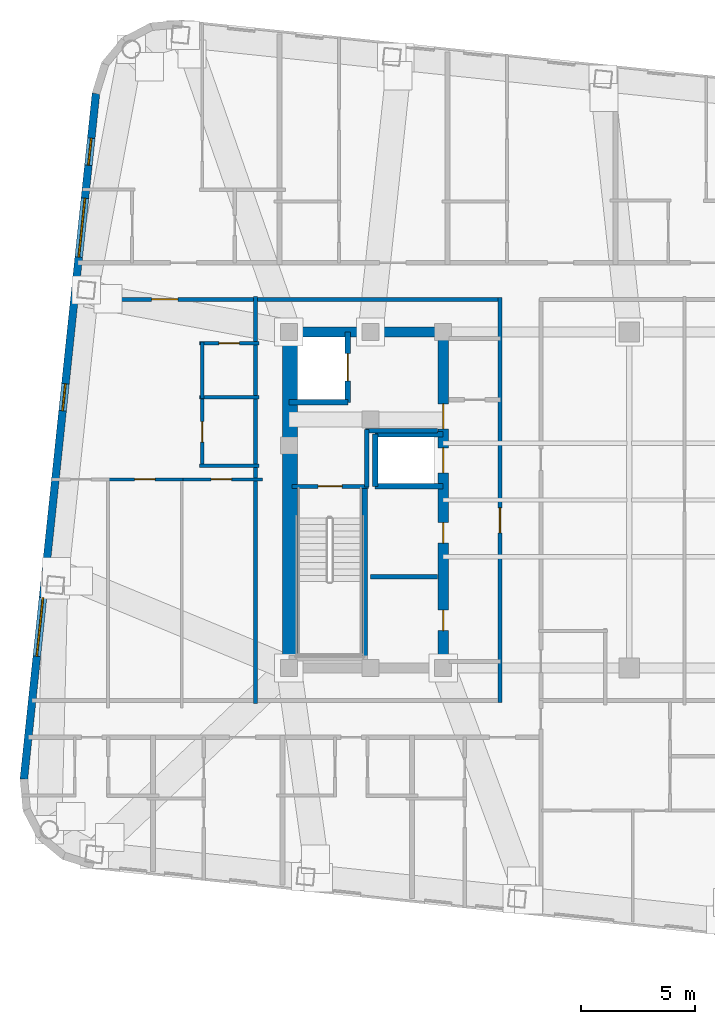
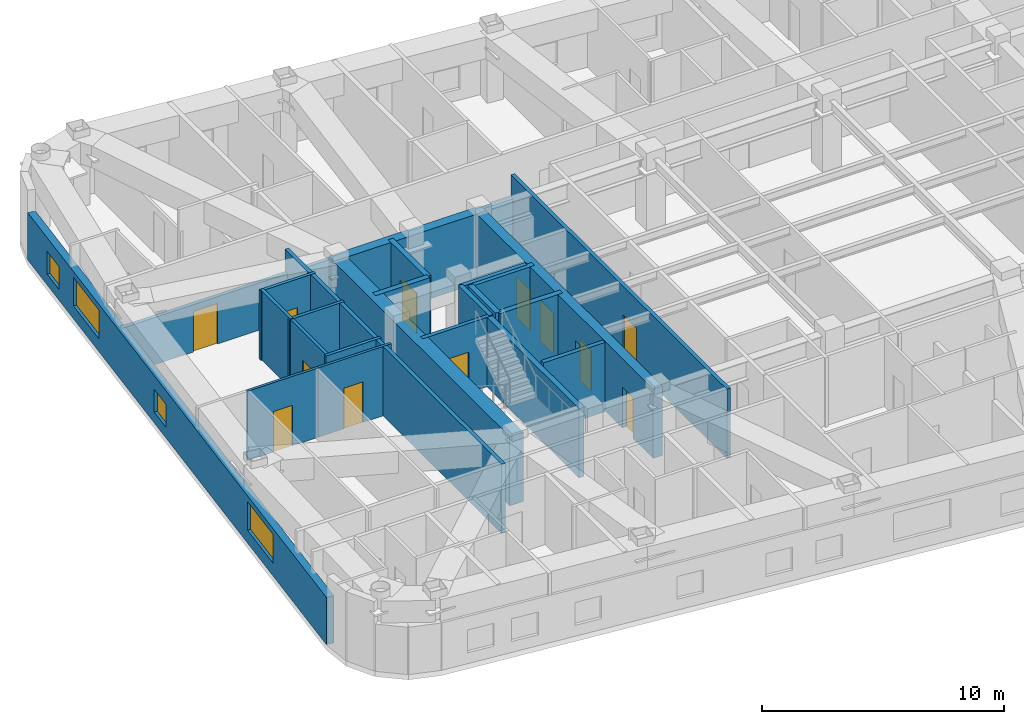
# One storey, part 5 of 12: 24 walls, 12 doors, 4 windows, 16 openings.
"""IFC4 building model written with IfcOpenShell, lengths in metres."""

from ifc_helpers import new_model, si_unit, direction, frame, frame_2d, origin, place, context, subcontext, project, spatial, rectangle, extrude, material, layer, layer_set, type_object, element, fill, save


model = new_model("IFC4")

# Units and contexts
model_context = context("Model", 3, precision=1e-05, world=origin(), true_north=direction((0.0, 1.0)))
body_context = subcontext(model_context, "Body", "Model", "MODEL_VIEW")
ifc_project = project(units=[si_unit("LENGTHUNIT", "METRE"), si_unit("AREAUNIT", "SQUARE_METRE"), si_unit("VOLUMEUNIT", "CUBIC_METRE"), si_unit("PLANEANGLEUNIT", "RADIAN"), si_unit("MASSUNIT", "GRAM", prefix="KILO")], contexts=[model_context])

# Site, building, storey
site_placement = place(None, origin())
site = spatial("IfcSite", under=ifc_project, at=site_placement, CompositionType="ELEMENT")
building_placement = place(site_placement, origin())
building = spatial("IfcBuilding", under=site, at=building_placement, Name="Voryun Gate Residences", CompositionType="ELEMENT")
storey_placement = place(building_placement, frame((0.0, 0.0, 306.800048828125)))
storey = spatial("IfcBuildingStorey", under=building, at=storey_placement, Name="L76", CompositionType="ELEMENT", Elevation=306.800048828125)

# Wall
ifc_material_1 = material(Name="Concrete C50/60", Category="concrete")
ifc_layer_1 = layer(ifc_material_1, 0.449951171875, Name="CW_CORE_450")
ifc_layer_set_1 = layer_set([ifc_layer_1], Name="Concrete C50/60")
wall_type_1 = type_object("IfcWallType", Name="CW_CORE_450", PredefinedType="SHEAR", material=ifc_layer_set_1)
wall_1_placement = place(storey_placement, frame((-19.425048828125, 7.39990234375, 0.0), z_axis=(0.0, 0.0, 1.0), x_axis=(1.0, 0.0, 0.0)))
element("IfcWall", 1, at=wall_1_placement, inside=storey, type_object=wall_type_1, Name="L76 Core shear wall CW-L76-WN", PredefinedType="SHEAR", context=body_context, shape_type="SweptSolid", body=[
    extrude(rectangle(XDim=7.25, YDim=0.449951171875, at=frame_2d((3.625, 0.0))), origin(), (0.0, 0.0, 1.0), 3.5),
])

# Wall, openings, doors
wall_2_placement = place(storey_placement, frame((-12.39990234375, -7.39990234375, 0.0), z_axis=(0.0, 0.0, 1.0), x_axis=(0.0, 1.0, 0.0)))
wall_2 = element("IfcWall", 2, at=wall_2_placement, inside=storey, type_object=wall_type_1, Name="L76 Core shear wall CW-L76-WE", PredefinedType="SHEAR", context=body_context, shape_type="SweptSolid", body=[
    extrude(rectangle(XDim=14.7998046875, YDim=0.449951171875, at=frame_2d((7.39990234375, 0.0))), origin(), (0.0, 0.0, 1.0), 3.5),
])
opening_1_placement = place(wall_2_placement, frame((8.60009765625, 0.0, 0.0)))
opening_1 = element("IfcOpeningElement", 3, at=opening_1_placement, cuts=wall_2, Name="Opening LD2", PredefinedType="OPENING", context=body_context, shape_type="SweptSolid", body=[
    extrude(rectangle(XDim=1.10009765625, YDim=2.050048828125, at=frame_2d((0.550048828125, 1.02490234375))), frame((0.0, 0.235107421875, 0.0), z_axis=(0.0, -1.0, 0.0), x_axis=(1.0, 0.0, 0.0)), (0.0, 0.0, 1.0), 0.469970703125),
])
opening_2_placement = place(wall_2_placement, frame((10.530029296875, 0.0, 0.0)))
opening_2 = element("IfcOpeningElement", 4, at=opening_2_placement, cuts=wall_2, Name="Opening D-FD60-2", PredefinedType="OPENING", context=body_context, shape_type="SweptSolid", body=[
    extrude(rectangle(XDim=1.10009765625, YDim=2.050048828125, at=frame_2d((0.550048828125, 1.02490234375))), frame((0.0, 0.235107421875, 0.0), z_axis=(0.0, -1.0, 0.0), x_axis=(1.0, 0.0, 0.0)), (0.0, 0.0, 1.0), 0.469970703125),
])
opening_3_placement = place(wall_2_placement, frame((1.64990234375, 0.0, 0.0)))
opening_3 = element("IfcOpeningElement", 5, at=opening_3_placement, cuts=wall_2, Name="Opening D-FD60-4", PredefinedType="OPENING", context=body_context, shape_type="SweptSolid", body=[
    extrude(rectangle(XDim=0.89990234375, YDim=2.050048828125, at=frame_2d((0.449951171875, 1.02490234375))), frame((0.0, 0.235107421875, 0.0), z_axis=(0.0, -1.0, 0.0), x_axis=(1.0, 0.0, 0.0)), (0.0, 0.0, 1.0), 0.469970703125),
])
opening_4_placement = place(wall_2_placement, frame((5.5, 0.0, 0.0)))
opening_4 = element("IfcOpeningElement", 6, at=opening_4_placement, cuts=wall_2, Name="Opening D-FD60-4", PredefinedType="OPENING", context=body_context, shape_type="SweptSolid", body=[
    extrude(rectangle(XDim=0.89990234375, YDim=2.050048828125, at=frame_2d((0.449951171875, 1.02490234375))), frame((0.0, 0.235107421875, 0.0), z_axis=(0.0, -1.0, 0.0), x_axis=(1.0, 0.0, 0.0)), (0.0, 0.0, 1.0), 0.469970703125),
])
ifc_material_2 = material(Name="Painted steel fire door", Category="steel")
door_type_1 = type_object("IfcDoorType", Name="DR_FD60_FFLOB_1100", OperationType="NOTDEFINED", PredefinedType="DOOR", material=ifc_material_2)
door_1_placement = place(opening_2_placement, origin())
door_1 = element("IfcDoor", 7, at=door_1_placement, inside=storey, type_object=door_type_1, Name="Door DR-L76-CLOB-W", OperationType="SINGLE_SWING_LEFT", OverallHeight=2.050048828125, OverallWidth=1.10009765625, PredefinedType="DOOR", context=body_context, shape_type="SweptSolid", body=[
    extrude(rectangle(XDim=1.10009765625, YDim=2.050048828125, at=frame_2d((0.550048828125, 1.02490234375))), frame((0.0, 0.02490234375, 0.0), z_axis=(0.0, -1.0, 0.0), x_axis=(1.0, 0.0, 0.0)), (0.0, 0.0, 1.0), 0.050048828125),
])
fill(opening_2, door_1)
ifc_material_3 = material(Name="Painted steel fire door", Category="steel")
door_type_2 = type_object("IfcDoorType", Name="DR_FD60_RISER_900", OperationType="NOTDEFINED", PredefinedType="DOOR", material=ifc_material_3)
door_2_placement = place(opening_3_placement, origin())
door_2 = element("IfcDoor", 8, at=door_2_placement, inside=storey, type_object=door_type_2, Name="Door DR-L76-RECW-HS", OperationType="SINGLE_SWING_LEFT", OverallHeight=2.050048828125, OverallWidth=0.89990234375, PredefinedType="DOOR", context=body_context, shape_type="SweptSolid", body=[
    extrude(rectangle(XDim=0.89990234375, YDim=2.050048828125, at=frame_2d((0.449951171875, 1.02490234375))), frame((0.0, 0.02490234375, 0.0), z_axis=(0.0, -1.0, 0.0), x_axis=(1.0, 0.0, 0.0)), (0.0, 0.0, 1.0), 0.050048828125),
])
fill(opening_3, door_2)
door_3_placement = place(opening_4_placement, origin())
door_3 = element("IfcDoor", 9, at=door_3_placement, inside=storey, type_object=door_type_2, Name="Door DR-L76-RECW-HN", OperationType="SINGLE_SWING_RIGHT", OverallHeight=2.050048828125, OverallWidth=0.89990234375, PredefinedType="DOOR", context=body_context, shape_type="SweptSolid", body=[
    extrude(rectangle(XDim=0.89990234375, YDim=2.050048828125, at=frame_2d((0.449951171875, 1.02490234375))), frame((0.0, 0.02490234375, 0.0), z_axis=(0.0, -1.0, 0.0), x_axis=(1.0, 0.0, 0.0)), (0.0, 0.0, 1.0), 0.050048828125),
])
fill(opening_4, door_3)
ifc_material_4 = material(Name="Anodised aluminium", Category="aluminium")
door_type_3 = type_object("IfcDoorType", Name="DR_LD_PASS_1100", OperationType="NOTDEFINED", PredefinedType="DOOR", material=ifc_material_4)
door_4_placement = place(opening_1_placement, origin())
door_4 = element("IfcDoor", 10, at=door_4_placement, inside=storey, type_object=door_type_3, Name="Lift EL-P7 sliding landing door L76", OperationType="SLIDING_TO_LEFT", OverallHeight=2.050048828125, OverallWidth=1.10009765625, PredefinedType="DOOR", context=body_context, shape_type="SweptSolid", body=[
    extrude(rectangle(XDim=1.10009765625, YDim=2.050048828125, at=frame_2d((0.550048828125, 1.02490234375))), frame((0.0, 0.02490234375, 0.0), z_axis=(0.0, -1.0, 0.0), x_axis=(1.0, 0.0, 0.0)), (0.0, 0.0, 1.0), 0.050048828125),
])
fill(opening_1, door_4)

# Wall
ifc_material_5 = material(Name="Concrete C60/75", Category="concrete")
ifc_layer_2 = layer(ifc_material_5, 0.64990234375, Name="CW_CORE_650")
ifc_layer_set_2 = layer_set([ifc_layer_2], Name="Concrete C60/75")
wall_type_2 = type_object("IfcWallType", Name="CW_CORE_650", PredefinedType="SHEAR", material=ifc_layer_set_2)
wall_3_placement = place(storey_placement, frame((-19.14501953125, -7.39990234375, 0.0), z_axis=(0.0, 0.0, 1.0), x_axis=(0.0, 1.0, 0.0)))
element("IfcWall", 11, at=wall_3_placement, inside=storey, type_object=wall_type_2, Name="L76 Core shear wall CW-L76-WW", PredefinedType="SHEAR", context=body_context, shape_type="SweptSolid", body=[
    extrude(rectangle(XDim=14.7998046875, YDim=0.64990234375, at=frame_2d((7.39990234375, 0.0))), origin(), (0.0, 0.0, 1.0), 3.5),
])

# Wall, opening, door
ifc_material_6 = material(Name="Gypsum acoustic fireboard")
ifc_layer_3 = layer(ifc_material_6, 0.179931640625, Name="W_CORR_RATED_180")
ifc_layer_set_3 = layer_set([ifc_layer_3], Name="Gypsum acoustic fireboard")
wall_type_3 = type_object("IfcWallType", Name="W_CORR_RATED_180", PredefinedType="PARTITIONING", material=ifc_layer_set_3)
wall_4_placement = place(storey_placement, frame((-19.06005859375, 0.60009765625, 0.0), z_axis=(0.0, 0.0, 1.0), x_axis=(1.0, 0.0, 0.0)))
wall_4 = element("IfcWall", 12, at=wall_4_placement, inside=storey, type_object=wall_type_3, Name="Partition wall WP-L76-STV-W", PredefinedType="PARTITIONING", context=body_context, shape_type="SweptSolid", body=[
    extrude(rectangle(XDim=3.360107421875, YDim=0.179931640625, at=frame_2d((1.68017578125, 0.0))), origin(), (0.0, 0.0, 1.0), 3.5),
])
opening_5_placement = place(wall_4_placement, frame((1.155029296875, 0.0, 0.0)))
opening_5 = element("IfcOpeningElement", 13, at=opening_5_placement, cuts=wall_4, Name="Opening D-FD60-1", PredefinedType="OPENING", context=body_context, shape_type="SweptSolid", body=[
    extrude(rectangle(XDim=1.050048828125, YDim=2.050048828125, at=frame_2d((0.52490234375, 1.02490234375))), frame((0.0, 0.099853515625, 0.0), z_axis=(0.0, -1.0, 0.0), x_axis=(1.0, 0.0, 0.0)), (0.0, 0.0, 1.0), 0.199951171875),
])
ifc_material_7 = material(Name="Painted steel fire door", Category="steel")
door_type_4 = type_object("IfcDoorType", Name="DR_FD60_STAIR_1050", OperationType="NOTDEFINED", PredefinedType="DOOR", material=ifc_material_7)
door_5_placement = place(opening_5_placement, origin())
door_5 = element("IfcDoor", 14, at=door_5_placement, inside=storey, type_object=door_type_4, Name="Door DR-L76-ST-W", OperationType="SINGLE_SWING_LEFT", OverallHeight=2.050048828125, OverallWidth=1.050048828125, PredefinedType="DOOR", context=body_context, shape_type="SweptSolid", body=[
    extrude(rectangle(XDim=1.050048828125, YDim=2.050048828125, at=frame_2d((0.52490234375, 1.02490234375))), frame((0.0, 0.02490234375, 0.0), z_axis=(0.0, -1.0, 0.0), x_axis=(1.0, 0.0, 0.0)), (0.0, 0.0, 1.0), 0.050048828125),
])
fill(opening_5, door_5)

wall_5_placement = place(storey_placement, frame((-9.89990234375, -8.929931640625, 0.0), z_axis=(0.0, 0.0, 1.0), x_axis=(0.0, 1.0, 0.0)))
wall_5 = element("IfcWall", 15, at=wall_5_placement, inside=storey, type_object=wall_type_3, Name="Partition wall WP-L76-PLBW-FULL", PredefinedType="PARTITIONING", context=body_context, shape_type="SweptSolid", body=[
    extrude(rectangle(XDim=17.85986328125, YDim=0.179931640625, at=frame_2d((8.929931640625, 0.0))), origin(), (0.0, 0.0, 1.0), 3.5),
])
opening_6_placement = place(wall_5_placement, frame((7.487060546875, 0.0, 0.0)))
opening_6 = element("IfcOpeningElement", 16, at=opening_6_placement, cuts=wall_5, Name="Opening D-FD60-2", PredefinedType="OPENING", context=body_context, shape_type="SweptSolid", body=[
    extrude(rectangle(XDim=1.10009765625, YDim=2.050048828125, at=frame_2d((0.550048828125, 1.02490234375))), frame((0.0, 0.099853515625, 0.0), z_axis=(0.0, -1.0, 0.0), x_axis=(1.0, 0.0, 0.0)), (0.0, 0.0, 1.0), 0.199951171875),
])
door_6_placement = place(opening_6_placement, origin())
door_6 = element("IfcDoor", 17, at=door_6_placement, inside=storey, type_object=door_type_1, Name="Door DR-L76-PLBW-COR", OperationType="SINGLE_SWING_LEFT", OverallHeight=2.050048828125, OverallWidth=1.10009765625, PredefinedType="DOOR", context=body_context, shape_type="SweptSolid", body=[
    extrude(rectangle(XDim=1.10009765625, YDim=2.050048828125, at=frame_2d((0.550048828125, 1.02490234375))), frame((0.0, 0.02490234375, 0.0), z_axis=(0.0, -1.0, 0.0), x_axis=(1.0, 0.0, 0.0)), (0.0, 0.0, 1.0), 0.050048828125),
])
fill(opening_6, door_6)

wall_6_placement = place(storey_placement, frame((-28.648681640625, 8.840087890625, 0.0), z_axis=(0.0, 0.0, 1.0), x_axis=(1.0, 0.0, 0.0)))
wall_6 = element("IfcWall", 18, at=wall_6_placement, inside=storey, type_object=wall_type_3, Name="Partition wall WP-L76-CWING-WN", PredefinedType="PARTITIONING", context=body_context, shape_type="SweptSolid", body=[
    extrude(rectangle(XDim=18.768798828125, YDim=0.179931640625, at=frame_2d((9.38427734375, 0.0))), origin(), (0.0, 0.0, 1.0), 2.389892578125),
])
opening_7_placement = place(wall_6_placement, frame((3.40966796875, 0.0, 0.0)))
opening_7 = element("IfcOpeningElement", 19, at=opening_7_placement, cuts=wall_6, Name="Opening D-UNIT-1", PredefinedType="OPENING", context=body_context, shape_type="SweptSolid", body=[
    extrude(rectangle(XDim=1.14990234375, YDim=2.050048828125, at=frame_2d((0.574951171875, 1.02490234375))), frame((0.0, 0.099853515625, 0.0), z_axis=(0.0, -1.0, 0.0), x_axis=(1.0, 0.0, 0.0)), (0.0, 0.0, 1.0), 0.199951171875),
])
ifc_material_8 = material(Name="Armoured timber-clad fire door", Category="wood")
door_type_5 = type_object("IfcDoorType", Name="DR_UNIT_ENTRY_1150", OperationType="NOTDEFINED", PredefinedType="DOOR", material=ifc_material_8)
door_7_placement = place(opening_7_placement, origin())
door_7 = element("IfcDoor", 20, at=door_7_placement, inside=storey, type_object=door_type_5, Name="Door DR-L76-WE1N", OperationType="SINGLE_SWING_LEFT", OverallHeight=2.050048828125, OverallWidth=1.14990234375, PredefinedType="DOOR", context=body_context, shape_type="SweptSolid", body=[
    extrude(rectangle(XDim=1.14990234375, YDim=2.050048828125, at=frame_2d((0.574951171875, 1.02490234375))), frame((0.0, 0.02490234375, 0.0), z_axis=(0.0, -1.0, 0.0), x_axis=(1.0, 0.0, 0.0)), (0.0, 0.0, 1.0), 0.050048828125),
])
fill(opening_7, door_7)

# Wall
wall_7_placement = place(storey_placement, frame((-20.669921875, -8.9599609375, 0.0), z_axis=(0.0, 0.0, 1.0), x_axis=(0.0, 1.0, 0.0)))
element("IfcWall", 21, at=wall_7_placement, inside=storey, type_object=wall_type_3, Name="Partition wall WP-L76-WCOR", PredefinedType="PARTITIONING", context=body_context, shape_type="SweptSolid", body=[
    extrude(rectangle(XDim=17.919921875, YDim=0.179931640625, at=frame_2d((8.9599609375, 0.0))), origin(), (0.0, 0.0, 1.0), 3.5),
])

# Wall, openings, windows
ifc_material_9 = material(Name="Charcoal terracotta masonry", Category="masonry")
ifc_layer_4 = layer(ifc_material_9, 0.340087890625, Name="W_EXT_TERRACOTTA_340")
ifc_layer_set_4 = layer_set([ifc_layer_4], Name="Charcoal terracotta masonry")
wall_type_4 = type_object("IfcWallType", Name="W_EXT_TERRACOTTA_340", PredefinedType="ELEMENTEDWALL", material=ifc_layer_set_4)
wall_8_placement = place(storey_placement, frame((-30.8701171875, -12.295654296875, 0.0), z_axis=(0.0, 0.0, 1.0), x_axis=(0.104533282919, 0.994521388791, 0.0)))
wall_8 = element("IfcWall", 22, at=wall_8_placement, inside=storey, type_object=wall_type_4, Name="Exterior wall WEXT-L76-06", PredefinedType="ELEMENTEDWALL", context=body_context, shape_type="SweptSolid", body=[
    extrude(rectangle(XDim=30.366455078125, YDim=0.340087890625, at=frame_2d((15.18310546875, 0.0))), origin(), (0.0, 0.0, 1.0), 2.389892578125),
])
opening_8_placement = place(wall_8_placement, frame((5.441650390625, 0.0, 0.64990234375)))
opening_8 = element("IfcOpeningElement", 23, at=opening_8_placement, cuts=wall_8, Name="Opening WN4", PredefinedType="OPENING", context=body_context, shape_type="SweptSolid", body=[
    extrude(rectangle(XDim=2.60009765625, YDim=1.449951171875, at=frame_2d((1.300048828125, 0.72509765625))), frame((0.0, 0.179931640625, 0.0), z_axis=(0.0, -1.0, 0.0), x_axis=(1.0, 0.0, 0.0)), (0.0, 0.0, 1.0), 0.360107421875),
])
opening_9_placement = place(wall_8_placement, frame((23.125, 0.0, 0.64990234375)))
opening_9 = element("IfcOpeningElement", 24, at=opening_9_placement, cuts=wall_8, Name="Opening WN4", PredefinedType="OPENING", context=body_context, shape_type="SweptSolid", body=[
    extrude(rectangle(XDim=2.60009765625, YDim=1.449951171875, at=frame_2d((1.300048828125, 0.72509765625))), frame((0.0, 0.179931640625, 0.0), z_axis=(0.0, -1.0, 0.0), x_axis=(1.0, 0.0, 0.0)), (0.0, 0.0, 1.0), 0.360107421875),
])
opening_10_placement = place(wall_8_placement, frame((27.1923828125, 0.0, 0.550048828125)))
opening_10 = element("IfcOpeningElement", 25, at=opening_10_placement, cuts=wall_8, Name="Opening WN6", PredefinedType="OPENING", context=body_context, shape_type="SweptSolid", body=[
    extrude(rectangle(XDim=1.199951171875, YDim=1.14990234375, at=frame_2d((0.60009765625, 0.574951171875))), frame((0.0, 0.179931640625, 0.0), z_axis=(0.0, -1.0, 0.0), x_axis=(1.0, 0.0, 0.0)), (0.0, 0.0, 1.0), 0.360107421875),
])
opening_11_placement = place(wall_8_placement, frame((16.310546875, 0.0, 0.550048828125)))
opening_11 = element("IfcOpeningElement", 26, at=opening_11_placement, cuts=wall_8, Name="Opening WN6", PredefinedType="OPENING", context=body_context, shape_type="SweptSolid", body=[
    extrude(rectangle(XDim=1.199951171875, YDim=1.14990234375, at=frame_2d((0.60009765625, 0.574951171875))), frame((0.0, 0.179931640625, 0.0), z_axis=(0.0, -1.0, 0.0), x_axis=(1.0, 0.0, 0.0)), (0.0, 0.0, 1.0), 0.360107421875),
])
ifc_material_10 = material(Name="Laminated low-E glass", Category="glass")
window_type_1 = type_object("IfcWindowType", Name="WN_PENT_TALL_2600", PartitioningType="SINGLE_PANEL", PredefinedType="WINDOW", material=ifc_material_10)
window_1_placement = place(opening_8_placement, origin())
window_1 = element("IfcWindow", 27, at=window_1_placement, inside=storey, type_object=window_type_1, Name="Window WN-WEXT-L76-06-01", OverallHeight=1.449951171875, OverallWidth=2.60009765625, PartitioningType="SINGLE_PANEL", PredefinedType="WINDOW", context=body_context, shape_type="SweptSolid", body=[
    extrude(rectangle(XDim=2.60009765625, YDim=1.449951171875, at=frame_2d((1.300048828125, 0.72509765625))), frame((0.0, 0.030029296875, 0.0), z_axis=(0.0, -1.0, 0.0), x_axis=(1.0, 0.0, 0.0)), (0.0, 0.0, 1.0), 0.06005859375),
])
fill(opening_8, window_1)
window_2_placement = place(opening_9_placement, origin())
window_2 = element("IfcWindow", 28, at=window_2_placement, inside=storey, type_object=window_type_1, Name="Window WN-WEXT-L76-06-02", OverallHeight=1.449951171875, OverallWidth=2.60009765625, PartitioningType="SINGLE_PANEL", PredefinedType="WINDOW", context=body_context, shape_type="SweptSolid", body=[
    extrude(rectangle(XDim=2.60009765625, YDim=1.449951171875, at=frame_2d((1.300048828125, 0.72509765625))), frame((0.0, 0.030029296875, 0.0), z_axis=(0.0, -1.0, 0.0), x_axis=(1.0, 0.0, 0.0)), (0.0, 0.0, 1.0), 0.06005859375),
])
fill(opening_9, window_2)
ifc_material_11 = material(Name="Laminated low-E glass", Category="glass")
window_type_2 = type_object("IfcWindowType", Name="WN_POD_SLOT_1200", PartitioningType="SINGLE_PANEL", PredefinedType="WINDOW", material=ifc_material_11)
window_3_placement = place(opening_10_placement, origin())
window_3 = element("IfcWindow", 29, at=window_3_placement, inside=storey, type_object=window_type_2, Name="Window WN-L76-DWFIX-01", OverallHeight=1.14990234375, OverallWidth=1.199951171875, PartitioningType="SINGLE_PANEL", PredefinedType="WINDOW", context=body_context, shape_type="SweptSolid", body=[
    extrude(rectangle(XDim=1.199951171875, YDim=1.14990234375, at=frame_2d((0.60009765625, 0.574951171875))), frame((0.0, 0.030029296875, 0.0), z_axis=(0.0, -1.0, 0.0), x_axis=(1.0, 0.0, 0.0)), (0.0, 0.0, 1.0), 0.06005859375),
])
fill(opening_10, window_3)
window_4_placement = place(opening_11_placement, origin())
window_4 = element("IfcWindow", 30, at=window_4_placement, inside=storey, type_object=window_type_2, Name="Window WN-L76-DWFIX-25", OverallHeight=1.14990234375, OverallWidth=1.199951171875, PartitioningType="SINGLE_PANEL", PredefinedType="WINDOW", context=body_context, shape_type="SweptSolid", body=[
    extrude(rectangle(XDim=1.199951171875, YDim=1.14990234375, at=frame_2d((0.60009765625, 0.574951171875))), frame((0.0, 0.030029296875, 0.0), z_axis=(0.0, -1.0, 0.0), x_axis=(1.0, 0.0, 0.0)), (0.0, 0.0, 1.0), 0.06005859375),
])
fill(opening_11, window_4)

# Walls
ifc_material_12 = material(Name="Concrete C40/50", Category="concrete")
ifc_layer_5 = layer(ifc_material_12, 0.199951171875, Name="W_FF_LOBBY_200")
ifc_layer_set_5 = layer_set([ifc_layer_5], Name="Concrete C40/50")
wall_type_5 = type_object("IfcWallType", Name="W_FF_LOBBY_200", PredefinedType="PARTITIONING", material=ifc_layer_set_5)
wall_9_placement = place(storey_placement, frame((-15.760009765625, 0.580078125, 0.0), z_axis=(0.0, 0.0, 1.0), x_axis=(0.0, 1.0, 0.0)))
element("IfcWall", 31, at=wall_9_placement, inside=storey, type_object=wall_type_5, Name="Partition wall WP-L76-FFP0-W", PredefinedType="PARTITIONING", context=body_context, shape_type="SweptSolid", body=[
    extrude(rectangle(XDim=2.52001953125, YDim=0.199951171875, at=frame_2d((1.260009765625, 0.0))), origin(), (0.0, 0.0, 1.0), 3.5),
])
wall_10_placement = place(storey_placement, frame((-15.820068359375, 3.06005859375, 0.0), z_axis=(0.0, 0.0, 1.0), x_axis=(1.0, 0.0, 0.0)))
element("IfcWall", 32, at=wall_10_placement, inside=storey, type_object=wall_type_5, Name="Partition wall WP-L76-FFPS-W", PredefinedType="PARTITIONING", context=body_context, shape_type="SweptSolid", body=[
    extrude(rectangle(XDim=3.16015625, YDim=0.199951171875, at=frame_2d((1.580078125, 0.0))), origin(), (0.0, 0.0, 1.0), 3.5),
])
wall_11_placement = place(storey_placement, frame((-15.60009765625, -3.389892578125, 0.0), z_axis=(0.0, 0.0, 1.0), x_axis=(1.0, 0.0, 0.0)))
element("IfcWall", 33, at=wall_11_placement, inside=storey, type_object=wall_type_5, Name="Partition wall WP-L76-RECEY-W", PredefinedType="PARTITIONING", context=body_context, shape_type="SweptSolid", body=[
    extrude(rectangle(XDim=2.940185546875, YDim=0.199951171875, at=frame_2d((1.47021484375, 0.0))), origin(), (0.0, 0.0, 1.0), 3.5),
])
ifc_material_13 = material(Name="Concrete C50/60", Category="concrete")
ifc_layer_6 = layer(ifc_material_13, 0.25, Name="W_SHAFT_RC250")
ifc_layer_set_6 = layer_set([ifc_layer_6], Name="Concrete C50/60")
wall_type_6 = type_object("IfcWallType", Name="W_SHAFT_RC250", PredefinedType="SOLIDWALL", material=ifc_layer_set_6)
wall_12_placement = place(storey_placement, frame((-15.860107421875, -7.0849609375, 0.0), z_axis=(0.0, 0.0, 1.0), x_axis=(0.0, 1.0, 0.0)))
element("IfcWall", 34, at=wall_12_placement, inside=storey, type_object=wall_type_6, Name="L76 Stair shaft structural wall W-STR", PredefinedType="SOLIDWALL", context=body_context, shape_type="SweptSolid", body=[
    extrude(rectangle(XDim=7.68505859375, YDim=0.25, at=frame_2d((3.842529296875, 0.0))), origin(), (0.0, 0.0, 1.0), 3.5),
])
wall_13_placement = place(storey_placement, frame((-19.199951171875, 4.300048828125, 0.0), z_axis=(0.0, 0.0, 1.0), x_axis=(1.0, 0.0, 0.0)))
element("IfcWall", 35, at=wall_13_placement, inside=storey, type_object=wall_type_6, Name="Lift shaft wall WSH-L76-EL-FF-W1-S", PredefinedType="SOLIDWALL", context=body_context, shape_type="SweptSolid", body=[
    extrude(rectangle(XDim=2.599853515625, YDim=0.25, at=frame_2d((1.2998046875, 0.0))), origin(), (0.0, 0.0, 1.0), 3.5),
])

# Wall, opening, door
wall_14_placement = place(storey_placement, frame((-16.60009765625, 4.300048828125, 0.0), z_axis=(0.0, 0.0, 1.0), x_axis=(0.0, 1.0, 0.0)))
wall_14 = element("IfcWall", 36, at=wall_14_placement, inside=storey, type_object=wall_type_6, Name="Lift shaft wall WSH-L76-EL-FF-W1-E", PredefinedType="SOLIDWALL", context=body_context, shape_type="SweptSolid", body=[
    extrude(rectangle(XDim=3.099853515625, YDim=0.25, at=frame_2d((1.5498046875, 0.0))), origin(), (0.0, 0.0, 1.0), 3.5),
])
opening_12_placement = place(wall_14_placement, frame((0.949951171875, 0.0, 0.0)))
opening_12 = element("IfcOpeningElement", 37, at=opening_12_placement, cuts=wall_14, Name="Opening LD1", PredefinedType="OPENING", context=body_context, shape_type="SweptSolid", body=[
    extrude(rectangle(XDim=1.199951171875, YDim=2.050048828125, at=frame_2d((0.60009765625, 1.02490234375))), frame((0.0, 0.135009765625, 0.0), z_axis=(0.0, -1.0, 0.0), x_axis=(1.0, 0.0, 0.0)), (0.0, 0.0, 1.0), 0.27001953125),
])
ifc_material_14 = material(Name="Anodised aluminium", Category="aluminium")
door_type_6 = type_object("IfcDoorType", Name="DR_LD_FF_1200", OperationType="NOTDEFINED", PredefinedType="DOOR", material=ifc_material_14)
door_8_placement = place(opening_12_placement, origin())
door_8 = element("IfcDoor", 38, at=door_8_placement, inside=storey, type_object=door_type_6, Name="Lift EL-FF-W1 sliding landing door L76", OperationType="SLIDING_TO_LEFT", OverallHeight=2.050048828125, OverallWidth=1.199951171875, PredefinedType="DOOR", context=body_context, shape_type="SweptSolid", body=[
    extrude(rectangle(XDim=1.199951171875, YDim=2.050048828125, at=frame_2d((0.60009765625, 1.02490234375))), frame((0.0, 0.02490234375, 0.0), z_axis=(0.0, -1.0, 0.0), x_axis=(1.0, 0.0, 0.0)), (0.0, 0.0, 1.0), 0.050048828125),
])
fill(opening_12, door_8)

# Walls
for number, where, z_axis, x_axis, name in (
    (39, (-15.39990234375, 0.60009765625, 0.0), (0.0, 0.0, 1.0), (1.0, 0.0, 0.0), "Lift shaft wall WSH-L76-EL-P7-S"),
    (40, (-12.39990234375, 2.89990234375, 0.0), (0.0, 0.0, 1.0), (-1.0, 0.0, 0.0), "Lift shaft wall WSH-L76-EL-P7-N"),
):
    element("IfcWall", number, at=place(storey_placement, frame(where, z_axis=z_axis, x_axis=x_axis)), inside=storey, type_object=wall_type_6, Name=name, PredefinedType="SOLIDWALL", context=body_context, shape_type="SweptSolid", body=[
        extrude(rectangle(XDim=3.0, YDim=0.25, at=frame_2d((1.5, 0.0))), origin(), (0.0, 0.0, 1.0), 3.5),
    ])
wall_15_placement = place(storey_placement, frame((-15.39990234375, 2.89990234375, 0.0), z_axis=(0.0, 0.0, 1.0), x_axis=(0.0, -1.0, 0.0)))
element("IfcWall", 41, at=wall_15_placement, inside=storey, type_object=wall_type_6, Name="Lift shaft wall WSH-L76-EL-P7-W", PredefinedType="SOLIDWALL", context=body_context, shape_type="SweptSolid", body=[
    extrude(rectangle(XDim=2.2998046875, YDim=0.25, at=frame_2d((1.14990234375, 0.0))), origin(), (0.0, 0.0, 1.0), 3.5),
])

# Wall, opening, door
ifc_material_15 = material(Name="Gypsum acoustic partition")
ifc_layer_7 = layer(ifc_material_15, 0.125, Name="W_UNIT_PART_125")
ifc_layer_set_7 = layer_set([ifc_layer_7], Name="Gypsum acoustic partition")
wall_type_7 = type_object("IfcWallType", Name="W_UNIT_PART_125", PredefinedType="PARTITIONING", material=ifc_layer_set_7)
wall_16_placement = place(storey_placement, frame((-27.2294921875, 0.909912109375, 0.0), z_axis=(0.0, 0.0, 1.0), x_axis=(1.0, 0.0, 0.0)))
wall_16 = element("IfcWall", 42, at=wall_16_placement, inside=storey, type_object=wall_type_7, Name="Partition wall WP-L76-W1-HZMB2", PredefinedType="PARTITIONING", context=body_context, shape_type="SweptSolid", body=[
    extrude(rectangle(XDim=3.3740234375, YDim=0.125, at=frame_2d((1.68701171875, 0.0))), origin(), (0.0, 0.0, 1.0), 3.5),
])
opening_13_placement = place(wall_16_placement, frame((1.237060546875, 0.0, 0.0)))
opening_13 = element("IfcOpeningElement", 43, at=opening_13_placement, cuts=wall_16, Name="Opening D-INT-2", PredefinedType="OPENING", context=body_context, shape_type="SweptSolid", body=[
    extrude(rectangle(XDim=0.89990234375, YDim=2.050048828125, at=frame_2d((0.449951171875, 1.02490234375))), frame((0.0, 0.072509765625, 0.0), z_axis=(0.0, -1.0, 0.0), x_axis=(1.0, 0.0, 0.0)), (0.0, 0.0, 1.0), 0.14501953125),
])
ifc_material_16 = material(Name="Architectural oak veneer")
door_type_7 = type_object("IfcDoorType", Name="DR_INT_BATH_900", OperationType="NOTDEFINED", PredefinedType="DOOR", material=ifc_material_16)
door_9_placement = place(opening_13_placement, origin())
door_9 = element("IfcDoor", 44, at=door_9_placement, inside=storey, type_object=door_type_7, Name="Door DR-L76-W1-DBD2", OperationType="SINGLE_SWING_RIGHT", OverallHeight=2.050048828125, OverallWidth=0.89990234375, PredefinedType="DOOR", context=body_context, shape_type="SweptSolid", body=[
    extrude(rectangle(XDim=0.89990234375, YDim=2.050048828125, at=frame_2d((0.449951171875, 1.02490234375))), frame((0.0, 0.02490234375, 0.0), z_axis=(0.0, -1.0, 0.0), x_axis=(1.0, 0.0, 0.0)), (0.0, 0.0, 1.0), 0.050048828125),
])
fill(opening_13, door_9)

wall_17_placement = place(storey_placement, frame((-23.98046875, 0.909912109375, 0.0), z_axis=(0.0, 0.0, 1.0), x_axis=(1.0, 0.0, 0.0)))
wall_17 = element("IfcWall", 45, at=wall_17_placement, inside=storey, type_object=wall_type_7, Name="Partition wall WP-L76-W1-HZMB3", PredefinedType="PARTITIONING", context=body_context, shape_type="SweptSolid", body=[
    extrude(rectangle(XDim=3.63037109375, YDim=0.125, at=frame_2d((1.815185546875, 0.0))), origin(), (0.0, 0.0, 1.0), 3.5),
])
opening_14_placement = place(wall_17_placement, frame((1.3564453125, 0.0, 0.0)))
opening_14 = element("IfcOpeningElement", 46, at=opening_14_placement, cuts=wall_17, Name="Opening D-INT-2", PredefinedType="OPENING", context=body_context, shape_type="SweptSolid", body=[
    extrude(rectangle(XDim=0.89990234375, YDim=2.050048828125, at=frame_2d((0.449951171875, 1.02490234375))), frame((0.0, 0.072509765625, 0.0), z_axis=(0.0, -1.0, 0.0), x_axis=(1.0, 0.0, 0.0)), (0.0, 0.0, 1.0), 0.14501953125),
])
door_10_placement = place(opening_14_placement, origin())
door_10 = element("IfcDoor", 47, at=door_10_placement, inside=storey, type_object=door_type_7, Name="Door DR-L76-W1-DBD3", OperationType="SINGLE_SWING_LEFT", OverallHeight=2.050048828125, OverallWidth=0.89990234375, PredefinedType="DOOR", context=body_context, shape_type="SweptSolid", body=[
    extrude(rectangle(XDim=0.89990234375, YDim=2.050048828125, at=frame_2d((0.449951171875, 1.02490234375))), frame((0.0, 0.02490234375, 0.0), z_axis=(0.0, -1.0, 0.0), x_axis=(1.0, 0.0, 0.0)), (0.0, 0.0, 1.0), 0.050048828125),
])
fill(opening_14, door_10)

ifc_material_17 = material(Name="Gypsum moisture-resistant partition")
ifc_layer_8 = layer(ifc_material_17, 0.14990234375, Name="W_WET_PLUMB_150")
ifc_layer_set_8 = layer_set([ifc_layer_8], Name="Gypsum moisture-resistant partition")
wall_type_8 = type_object("IfcWallType", Name="W_WET_PLUMB_150", PredefinedType="PLUMBINGWALL", material=ifc_layer_set_8)
wall_18_placement = place(storey_placement, frame((-23.139892578125, 6.89990234375, 0.0), z_axis=(0.0, 0.0, 1.0), x_axis=(1.0, 0.0, 0.0)))
wall_18 = element("IfcWall", 48, at=wall_18_placement, inside=storey, type_object=wall_type_8, Name="Partition wall WP-L76-W1-IBT", PredefinedType="PLUMBINGWALL", context=body_context, shape_type="SweptSolid", body=[
    extrude(rectangle(XDim=2.619873046875, YDim=0.14990234375, at=frame_2d((1.31005859375, 0.0))), origin(), (0.0, 0.0, 1.0), 3.5),
])
opening_15_placement = place(wall_18_placement, frame((0.860107421875, 0.0, 0.0)))
opening_15 = element("IfcOpeningElement", 49, at=opening_15_placement, cuts=wall_18, Name="Opening D-INT-2", PredefinedType="OPENING", context=body_context, shape_type="SweptSolid", body=[
    extrude(rectangle(XDim=0.89990234375, YDim=2.050048828125, at=frame_2d((0.449951171875, 1.02490234375))), frame((0.0, 0.0849609375, 0.0), z_axis=(0.0, -1.0, 0.0), x_axis=(1.0, 0.0, 0.0)), (0.0, 0.0, 1.0), 0.169921875),
])
door_11_placement = place(opening_15_placement, origin())
door_11 = element("IfcDoor", 50, at=door_11_placement, inside=storey, type_object=door_type_7, Name="Door DR-L76-W1-DK", OperationType="SINGLE_SWING_LEFT", OverallHeight=2.050048828125, OverallWidth=0.89990234375, PredefinedType="DOOR", context=body_context, shape_type="SweptSolid", body=[
    extrude(rectangle(XDim=0.89990234375, YDim=2.050048828125, at=frame_2d((0.449951171875, 1.02490234375))), frame((0.0, 0.02490234375, 0.0), z_axis=(0.0, -1.0, 0.0), x_axis=(1.0, 0.0, 0.0)), (0.0, 0.0, 1.0), 0.050048828125),
])
fill(opening_15, door_11)

# Walls
for number, where, z_axis, x_axis, name in (
    (51, (-23.139892578125, 4.52001953125, 0.0), (0.0, 0.0, 1.0), (1.0, 0.0, 0.0), "Partition wall WP-L76-W1-IKB"),
    (52, (-23.139892578125, 1.5, 0.0), (0.0, 0.0, 1.0), (1.0, 0.0, 0.0), "Partition wall WP-L76-W1-IBB"),
):
    element("IfcWall", number, at=place(storey_placement, frame(where, z_axis=z_axis, x_axis=x_axis)), inside=storey, type_object=wall_type_8, Name=name, PredefinedType="PLUMBINGWALL", context=body_context, shape_type="SweptSolid", body=[
        extrude(rectangle(XDim=2.619873046875, YDim=0.14990234375, at=frame_2d((1.31005859375, 0.0))), origin(), (0.0, 0.0, 1.0), 3.5),
    ])

# Wall, opening, door
wall_19_placement = place(storey_placement, frame((-23.02001953125, 1.43994140625, 0.0), z_axis=(0.0, 0.0, 1.0), x_axis=(0.0, 1.0, 0.0)))
wall_19 = element("IfcWall", 53, at=wall_19_placement, inside=storey, type_object=wall_type_8, Name="Partition wall WP-L76-W1-VTSK1", PredefinedType="PLUMBINGWALL", context=body_context, shape_type="SweptSolid", body=[
    extrude(rectangle(XDim=3.1201171875, YDim=0.14990234375, at=frame_2d((1.56005859375, 0.0))), origin(), (0.0, 0.0, 1.0), 3.5),
])
opening_16_placement = place(wall_19_placement, frame((1.110107421875, 0.0, 0.0)))
opening_16 = element("IfcOpeningElement", 54, at=opening_16_placement, cuts=wall_19, Name="Opening D-INT-2", PredefinedType="OPENING", context=body_context, shape_type="SweptSolid", body=[
    extrude(rectangle(XDim=0.89990234375, YDim=2.050048828125, at=frame_2d((0.449951171875, 1.02490234375))), frame((0.0, 0.0849609375, 0.0), z_axis=(0.0, -1.0, 0.0), x_axis=(1.0, 0.0, 0.0)), (0.0, 0.0, 1.0), 0.169921875),
])
door_12_placement = place(opening_16_placement, origin())
door_12 = element("IfcDoor", 55, at=door_12_placement, inside=storey, type_object=door_type_7, Name="Door DR-L76-W1-DB", OperationType="SINGLE_SWING_RIGHT", OverallHeight=2.050048828125, OverallWidth=0.89990234375, PredefinedType="DOOR", context=body_context, shape_type="SweptSolid", body=[
    extrude(rectangle(XDim=0.89990234375, YDim=2.050048828125, at=frame_2d((0.449951171875, 1.02490234375))), frame((0.0, 0.02490234375, 0.0), z_axis=(0.0, -1.0, 0.0), x_axis=(1.0, 0.0, 0.0)), (0.0, 0.0, 1.0), 0.050048828125),
])
fill(opening_16, door_12)

# Wall
wall_20_placement = place(storey_placement, frame((-23.02001953125, 4.47998046875, 0.0), z_axis=(0.0, 0.0, 1.0), x_axis=(0.0, 1.0, 0.0)))
element("IfcWall", 56, at=wall_20_placement, inside=storey, type_object=wall_type_8, Name="Partition wall WP-L76-W1-VTSK2", PredefinedType="PLUMBINGWALL", context=body_context, shape_type="SweptSolid", body=[
    extrude(rectangle(XDim=2.47998046875, YDim=0.14990234375, at=frame_2d((1.239990234375, 0.0))), origin(), (0.0, 0.0, 1.0), 3.5),
])

save(model, "model.ifc")
